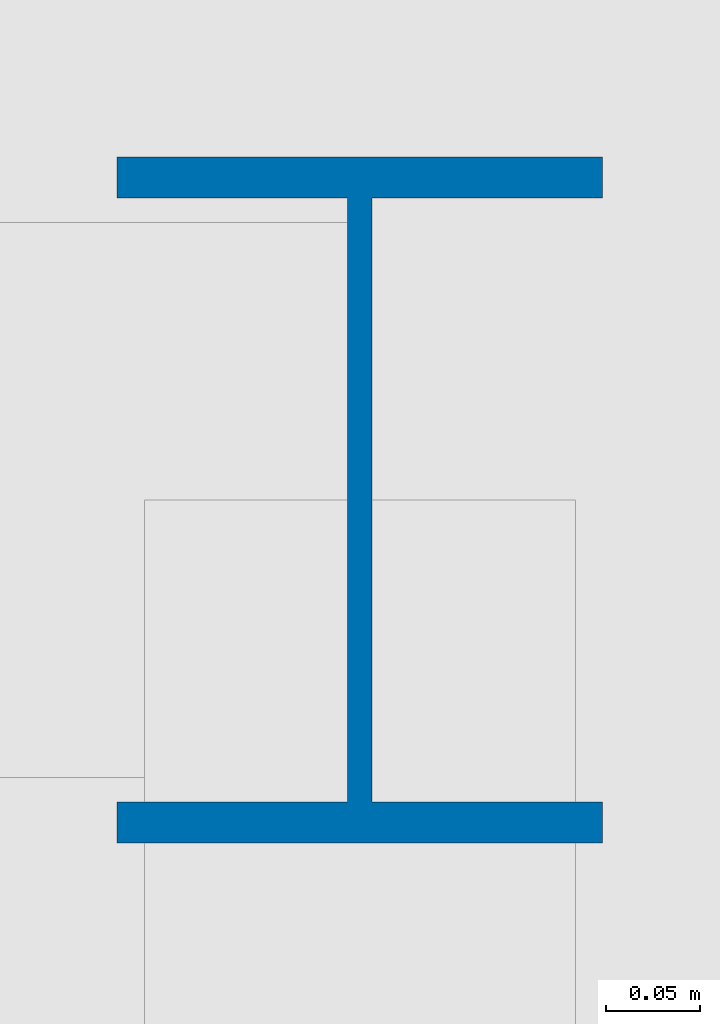
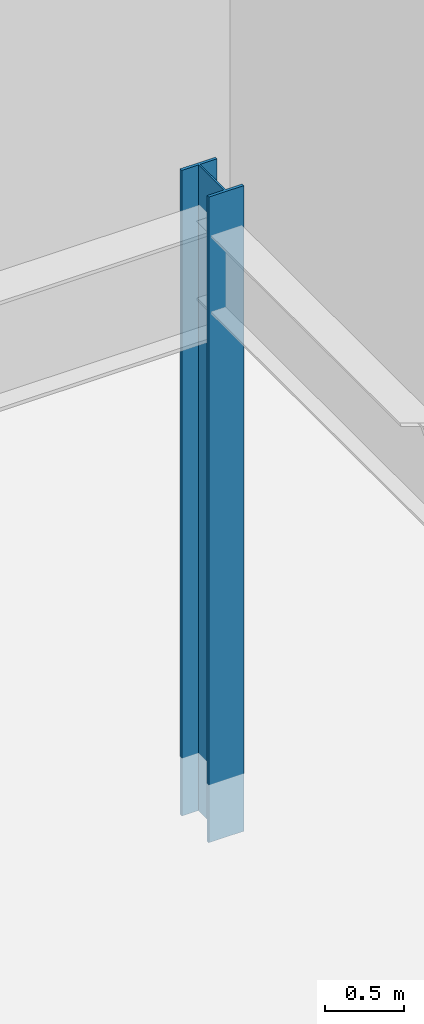
# One storey, part 8 of 17: 1 column.
"""IFC4 building model written with IfcOpenShell, lengths in metres."""

from ifc_helpers import new_model, si_unit, derived_unit, direction, frame, origin, origin_2d, place, context, subcontext, project, spatial, i_section, extrude, source, transform, mapped, material, material_profile, profile_set, type_object, element, save


model = new_model("IFC4")

# Units and contexts
model_context = context("Model", 3, precision=1e-05, world=origin(), true_north=direction((0.0, 1.0)))
body_context = subcontext(model_context, "Body", "Model", "MODEL_VIEW")
ifc_project = project(units=[si_unit("LENGTHUNIT", "METRE"), si_unit("AREAUNIT", "SQUARE_METRE"), si_unit("VOLUMEUNIT", "CUBIC_METRE"), si_unit("PLANEANGLEUNIT", "RADIAN"), si_unit("MASSUNIT", "GRAM", prefix="KILO"), derived_unit("THERMALTRANSMITTANCEUNIT", [(si_unit("POWERUNIT", "WATT"), 1), (si_unit("LENGTHUNIT", "METRE"), -2), (si_unit("THERMODYNAMICTEMPERATUREUNIT", "KELVIN"), -1)])], contexts=[model_context])

# Site, building, storey
site_placement = place(None, origin())
site = spatial("IfcSite", under=ifc_project, at=site_placement, CompositionType="ELEMENT")
building_placement = place(site_placement, origin())
building = spatial("IfcBuilding", under=site, at=building_placement, Name="Skarnbrae Concourse Arena and Tower", CompositionType="ELEMENT")
storey_placement = place(building_placement, frame((0.0, 0.0, -10.0)))
storey = spatial("IfcBuildingStorey", under=building, at=storey_placement, Name="B02", CompositionType="ELEMENT", Elevation=-10.0)

# Column
ifc_material = material(Name="Steel CSA G40.21 350W", Category="steel")
ifc_material_profile = material_profile(ifc_material, i_section(OverallWidth=0.257080078125, OverallDepth=0.363037109375, WebThickness=0.012939453125, FlangeThickness=0.021728515625, at=origin_2d()), Name="W360X122")
ifc_profile_set = profile_set([ifc_material_profile], Name="Steel CSA G40.21 350W")
column_type = type_object("IfcColumnType", Name="COL-POD-W360X122", PredefinedType="COLUMN", material=ifc_profile_set)
shared_shape = source(origin(), body_context, "Body", "SweptSolid", [
    extrude(i_section(OverallWidth=0.257080078125, OverallDepth=0.363037109375, WebThickness=0.012939453125, FlangeThickness=0.021728515625, at=origin_2d()), origin(), (0.0, 0.0, 1.0), 5.0),
])
column_placement = place(storey_placement, frame((78.5, 47.0, 0.0), z_axis=(0.0, 0.0, 1.0), x_axis=(1.0, 0.0, 0.0)))
element("IfcColumn", 1, at=column_placement, inside=storey, type_object=column_type, Name="B02 Podium mega-column PC-EP4", PredefinedType="COLUMN", context=body_context, shape_type="MappedRepresentation", body=[
    mapped(shared_shape, transform((0.0, 0.0, 0.0))),
])

save(model, "model.ifc")
